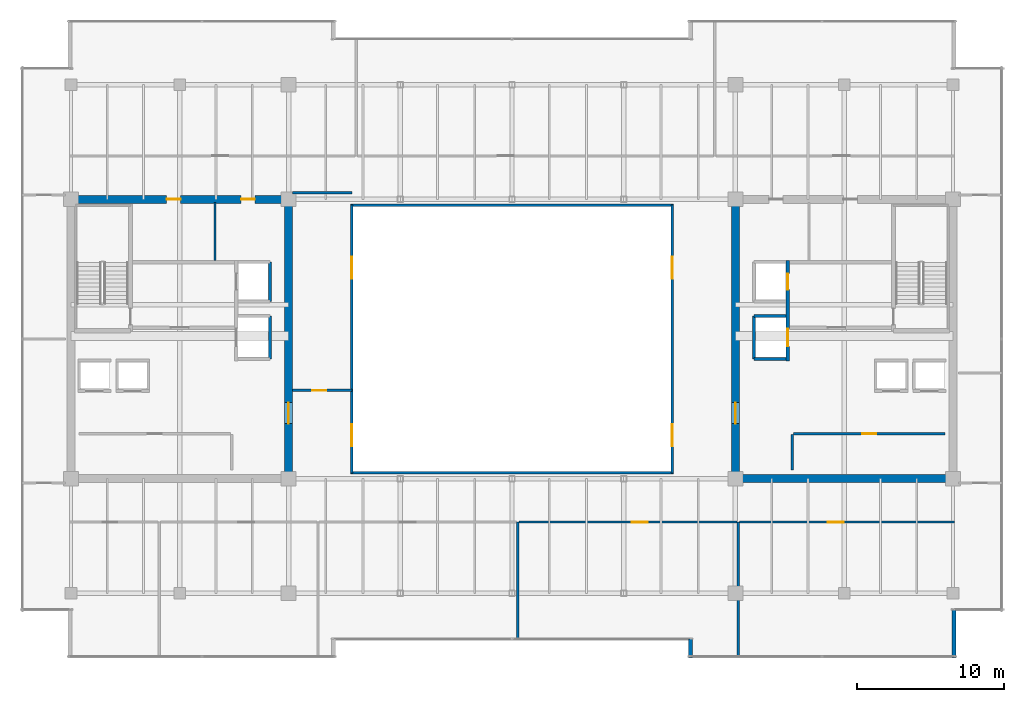
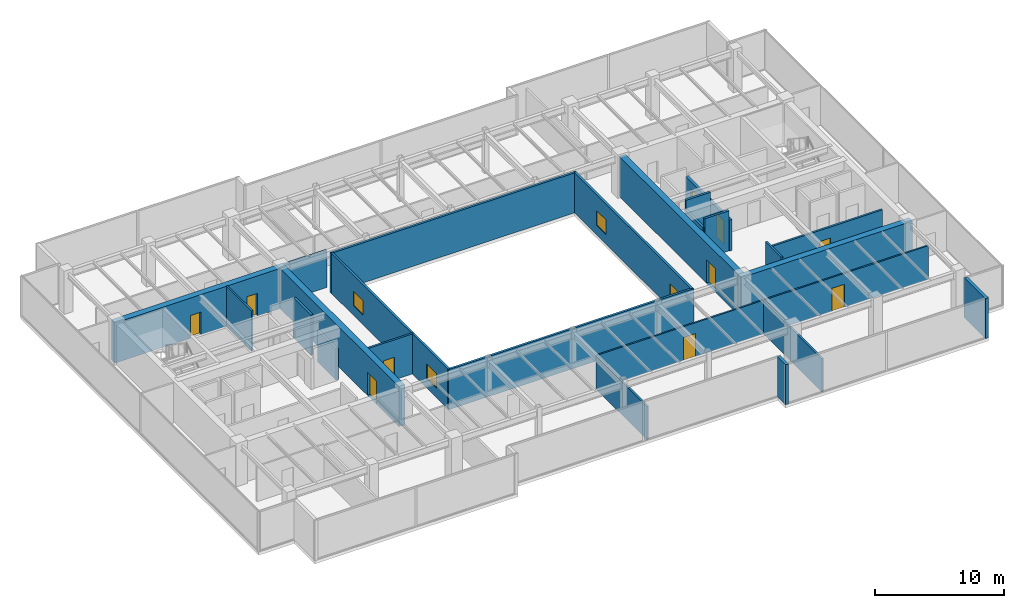
# One storey, part 29 of 33: 25 walls, 10 doors, 4 windows, 14 openings.
"""IFC4 building model written with IfcOpenShell, lengths in metres."""

from ifc_helpers import new_model, si_unit, direction, frame, frame_2d, origin, place, context, subcontext, project, spatial, rectangle, extrude, source, transform, mapped, material, layer, layer_set, type_object, type_shapes, element, fill, save


model = new_model("IFC4")

# Units and contexts
model_context = context("Model", 3, precision=1e-05, world=origin(), true_north=direction((0.0, 1.0)))
body_context = subcontext(model_context, "Body", "Model", "MODEL_VIEW")
ifc_project = project(units=[si_unit("LENGTHUNIT", "METRE"), si_unit("AREAUNIT", "SQUARE_METRE"), si_unit("VOLUMEUNIT", "CUBIC_METRE"), si_unit("PLANEANGLEUNIT", "RADIAN"), si_unit("MASSUNIT", "GRAM", prefix="KILO")], contexts=[model_context])

# Site, building, storey
site_placement = place(None, origin())
site = spatial("IfcSite", under=ifc_project, at=site_placement, CompositionType="ELEMENT")
building_placement = place(site_placement, origin())
building = spatial("IfcBuilding", under=site, at=building_placement, Name="Haelvirn Gate Laboratories", CompositionType="ELEMENT")
storey_placement = place(building_placement, frame((0.0, 0.0, 267.0)))
storey = spatial("IfcBuildingStorey", under=building, at=storey_placement, Name="L64", CompositionType="ELEMENT", Elevation=267.0)

# Walls
ifc_material_1 = material(Name="Thermally-broken bronze aluminium rainscreen & mineral wool", Category="aluminium")
ifc_layer_1 = layer(ifc_material_1, 0.280029296875, Name="EW-TERR-280")
ifc_layer_set_1 = layer_set([ifc_layer_1], Name="Thermally-broken bronze aluminium rainscreen & mineral wool")
wall_type_1 = type_object("IfcWallType", Name="EW-TERR-280", PredefinedType="STANDARD", material=ifc_layer_set_1)
wall_1_placement = place(storey_placement, frame((49.5400390625, 3.89306640625, 0.0), z_axis=(0.0, 0.0, 1.0), x_axis=(0.0, -1.0, 0.0)))
element("IfcWall", 1, at=wall_1_placement, inside=storey, type_object=wall_type_1, Name="L64 Atrium Recess Bronze Return Wall 03", PredefinedType="STANDARD", context=body_context, shape_type="SweptSolid", body=[
    extrude(rectangle(XDim=1.29296875, YDim=0.280029296875, at=frame_2d((0.646484375, 0.0))), origin(), (0.0, 0.0, 1.0), 3.800048828125),
])
wall_2_placement = place(storey_placement, frame((67.4599609375, 2.60009765625, 0.0), z_axis=(0.0, 0.0, 1.0), x_axis=(0.0, 1.0, 0.0)))
element("IfcWall", 2, at=wall_2_placement, inside=storey, type_object=wall_type_1, Name="L64 Atrium Recess Bronze Return Wall 05", PredefinedType="STANDARD", context=body_context, shape_type="SweptSolid", body=[
    extrude(rectangle(XDim=3.287841796875, YDim=0.280029296875, at=frame_2d((1.64404296875, 0.0))), origin(), (0.0, 0.0, 1.0), 3.800048828125),
])
ifc_material_2 = material(Name="Double-layer acoustic gypsum laboratory partition", Category="gypsum")
ifc_layer_2 = layer(ifc_material_2, 0.159912109375, Name="IW-ACOUST-160")
ifc_layer_set_2 = layer_set([ifc_layer_2], Name="Double-layer acoustic gypsum laboratory partition")
wall_type_2 = type_object("IfcWallType", Name="IW-ACOUST-160", PredefinedType="PARTITIONING", material=ifc_layer_set_2)
wall_3_placement = place(storey_placement, frame((37.800048828125, 3.909912109375, 0.0), z_axis=(0.0, 0.0, 1.0), x_axis=(0.0, 1.0, 0.0)))
element("IfcWall", 3, at=wall_3_placement, inside=storey, type_object=wall_type_2, Name="L64 Interior Wall IW-L64-SDIV-03", PredefinedType="PARTITIONING", context=body_context, shape_type="SweptSolid", body=[
    extrude(rectangle(XDim=7.93017578125, YDim=0.159912109375, at=frame_2d((3.965087890625, 0.0))), origin(), (0.0, 0.0, 1.0), 3.135009765625),
])
wall_4_placement = place(storey_placement, frame((52.800048828125, 2.7099609375, 0.0), z_axis=(0.0, 0.0, 1.0), x_axis=(0.0, 1.0, 0.0)))
element("IfcWall", 4, at=wall_4_placement, inside=storey, type_object=wall_type_2, Name="L64 Interior Wall IW-L64-SDIV-04", PredefinedType="PARTITIONING", context=body_context, shape_type="SweptSolid", body=[
    extrude(rectangle(XDim=9.130126953125, YDim=0.159912109375, at=frame_2d((4.56494140625, 0.0))), origin(), (0.0, 0.0, 1.0), 3.135009765625),
])
ifc_material_3 = material(Name="Fire-rated acoustic gypsum board partition", Category="gypsum")
ifc_layer_3 = layer(ifc_material_3, 0.175048828125, Name="IW-ACOUST-180")
ifc_layer_set_3 = layer_set([ifc_layer_3], Name="Fire-rated acoustic gypsum board partition")
wall_type_3 = type_object("IfcWallType", Name="IW-ACOUST-180", PredefinedType="PARTITIONING", material=ifc_layer_set_3)
wall_5_placement = place(storey_placement, frame((22.47509765625, 34.260009765625, 0.0), z_axis=(0.0, 0.0, 1.0), x_axis=(1.0, 0.0, 0.0)))
element("IfcWall", 5, at=wall_5_placement, inside=storey, type_object=wall_type_3, Name="L64 Interior Wall IW-L64-WPOD-N", PredefinedType="PARTITIONING", context=body_context, shape_type="SweptSolid", body=[
    extrude(rectangle(XDim=4.02490234375, YDim=0.175048828125, at=frame_2d((2.012451171875, 0.0))), origin(), (0.0, 0.0, 1.0), 3.534912109375),
])

# Wall, opening, door
wall_6_placement = place(storey_placement, frame((22.47509765625, 20.800048828125, 0.0), z_axis=(0.0, 0.0, 1.0), x_axis=(1.0, 0.0, 0.0)))
wall_6 = element("IfcWall", 6, at=wall_6_placement, inside=storey, type_object=wall_type_3, Name="L64 Interior Wall IW-L64-WPOD-S", PredefinedType="PARTITIONING", context=body_context, shape_type="SweptSolid", body=[
    extrude(rectangle(XDim=4.02490234375, YDim=0.175048828125, at=frame_2d((2.012451171875, 0.0))), origin(), (0.0, 0.0, 1.0), 3.800048828125),
])
opening_1_placement = place(wall_6_placement, frame((1.35009765625, 0.0, 0.0)))
opening_1 = element("IfcOpeningElement", 7, at=opening_1_placement, cuts=wall_6, Name="Opening FD4", PredefinedType="OPENING", context=body_context, shape_type="SweptSolid", body=[
    extrude(rectangle(XDim=0.949951171875, YDim=2.14990234375, at=frame_2d((0.47509765625, 1.074951171875))), frame((0.0, 0.09765625, 0.0), z_axis=(0.0, -1.0, 0.0), x_axis=(1.0, 0.0, 0.0)), (0.0, 0.0, 1.0), 0.195068359375),
])
ifc_material_4 = material(Name="Fire-rated steel SM355 core service door", Category="steel")
door_type_1 = type_object("IfcDoorType", Name="DR-FD-950", OperationType="NOTDEFINED", PredefinedType="DOOR", material=ifc_material_4)
shared_shape_1 = source(origin(), body_context, "Body", "SweptSolid", [
    extrude(rectangle(XDim=0.949951171875, YDim=2.14990234375, at=frame_2d((0.47509765625, 1.074951171875))), frame((0.0, 0.02490234375, 0.0), z_axis=(0.0, -1.0, 0.0), x_axis=(1.0, 0.0, 0.0)), (0.0, 0.0, 1.0), 0.050048828125),
])
type_shapes(door_type_1, [shared_shape_1])
door_1_placement = place(opening_1_placement, origin())
door_1 = element("IfcDoor", 8, at=door_1_placement, inside=storey, type_object=door_type_1, Name="L64 High-Zone Computational Suite Door", OperationType="SINGLE_SWING_RIGHT", OverallHeight=2.14990234375, OverallWidth=0.949951171875, PredefinedType="DOOR", context=body_context, shape_type="MappedRepresentation", body=[
    mapped(shared_shape_1, transform((0.0, 0.0, 0.0), scale=1.0)),
])
fill(opening_1, door_1)

# Wall, openings, windows
ifc_material_5 = material(Name="Tempered fire-rated borosilicate glass & anodised aluminium", Category="aluminium")
ifc_layer_4 = layer(ifc_material_5, 0.195068359375, Name="IW-GLAZ-200")
ifc_layer_set_4 = layer_set([ifc_layer_4], Name="Tempered fire-rated borosilicate glass & anodised aluminium")
wall_type_4 = type_object("IfcWallType", Name="IW-GLAZ-200", PredefinedType="SOLIDWALL", material=ifc_layer_set_4)
wall_7_placement = place(storey_placement, frame((26.5, 15.199951171875, 0.0), z_axis=(0.0, 0.0, 1.0), x_axis=(0.0, 1.0, 0.0)))
wall_7 = element("IfcWall", 9, at=wall_7_placement, inside=storey, type_object=wall_type_4, Name="L64 Interior Wall IW-L64-ATRIUM-W", PredefinedType="SOLIDWALL", context=body_context, shape_type="SweptSolid", body=[
    extrude(rectangle(XDim=18.199951171875, YDim=0.195068359375, at=frame_2d((9.10009765625, 0.0))), origin(), (0.0, 0.0, 1.0), 3.800048828125),
])
opening_2_placement = place(wall_7_placement, frame((1.800048828125, 0.0, 0.89990234375)))
opening_2 = element("IfcOpeningElement", 10, at=opening_2_placement, cuts=wall_7, Name="Opening W5", PredefinedType="OPENING", context=body_context, shape_type="SweptSolid", body=[
    extrude(rectangle(XDim=1.5, YDim=1.39990234375, at=frame_2d((0.75, 0.699951171875))), frame((0.0, 0.107421875, 0.0), z_axis=(0.0, -1.0, 0.0), x_axis=(1.0, 0.0, 0.0)), (0.0, 0.0, 1.0), 0.215087890625),
])
opening_3_placement = place(wall_7_placement, frame((13.199951171875, 0.0, 0.89990234375)))
opening_3 = element("IfcOpeningElement", 11, at=opening_3_placement, cuts=wall_7, Name="Opening W5", PredefinedType="OPENING", context=body_context, shape_type="SweptSolid", body=[
    extrude(rectangle(XDim=1.5, YDim=1.39990234375, at=frame_2d((0.75, 0.699951171875))), frame((0.0, 0.107421875, 0.0), z_axis=(0.0, -1.0, 0.0), x_axis=(1.0, 0.0, 0.0)), (0.0, 0.0, 1.0), 0.215087890625),
])
ifc_material_6 = material(Name="Fire-rated EI 120 borosilicate atrium vision glazing", Category="glass")
window_type = type_object("IfcWindowType", Name="WN-ATR-1500", PartitioningType="SINGLE_PANEL", PredefinedType="WINDOW", material=ifc_material_6)
shared_shape_2 = source(origin(), body_context, "Body", "SweptSolid", [
    extrude(rectangle(XDim=1.5, YDim=1.39990234375, at=frame_2d((0.75, 0.699951171875))), frame((0.0, 0.030029296875, 0.0), z_axis=(0.0, -1.0, 0.0), x_axis=(1.0, 0.0, 0.0)), (0.0, 0.0, 1.0), 0.06005859375),
])
type_shapes(window_type, [shared_shape_2])
window_1_placement = place(opening_2_placement, origin())
window_1 = element("IfcWindow", 12, at=window_1_placement, inside=storey, type_object=window_type, Name="L64 Atrium Observation Window 1", OverallHeight=1.39990234375, OverallWidth=1.5, PartitioningType="SINGLE_PANEL", PredefinedType="WINDOW", context=body_context, shape_type="MappedRepresentation", body=[
    mapped(shared_shape_2, transform((0.0, 0.0, 0.0), scale=1.0)),
])
fill(opening_2, window_1)
window_2_placement = place(opening_3_placement, origin())
window_2 = element("IfcWindow", 13, at=window_2_placement, inside=storey, type_object=window_type, Name="L64 Atrium Observation Window 2", OverallHeight=1.39990234375, OverallWidth=1.5, PartitioningType="SINGLE_PANEL", PredefinedType="WINDOW", context=body_context, shape_type="MappedRepresentation", body=[
    mapped(shared_shape_2, transform((0.0, 0.0, 0.0), scale=1.0)),
])
fill(opening_3, window_2)

wall_8_placement = place(storey_placement, frame((48.300048828125, 15.199951171875, 0.0), z_axis=(0.0, 0.0, 1.0), x_axis=(0.0, 1.0, 0.0)))
wall_8 = element("IfcWall", 14, at=wall_8_placement, inside=storey, type_object=wall_type_4, Name="L64 Interior Wall IW-L64-ATRIUM-E", PredefinedType="SOLIDWALL", context=body_context, shape_type="SweptSolid", body=[
    extrude(rectangle(XDim=18.199951171875, YDim=0.195068359375, at=frame_2d((9.10009765625, 0.0))), origin(), (0.0, 0.0, 1.0), 3.800048828125),
])
opening_4_placement = place(wall_8_placement, frame((1.800048828125, 0.0, 0.89990234375)))
opening_4 = element("IfcOpeningElement", 15, at=opening_4_placement, cuts=wall_8, Name="Opening W5", PredefinedType="OPENING", context=body_context, shape_type="SweptSolid", body=[
    extrude(rectangle(XDim=1.5, YDim=1.39990234375, at=frame_2d((0.75, 0.699951171875))), frame((0.0, 0.107421875, 0.0), z_axis=(0.0, -1.0, 0.0), x_axis=(1.0, 0.0, 0.0)), (0.0, 0.0, 1.0), 0.215087890625),
])
opening_5_placement = place(wall_8_placement, frame((13.199951171875, 0.0, 0.89990234375)))
opening_5 = element("IfcOpeningElement", 16, at=opening_5_placement, cuts=wall_8, Name="Opening W5", PredefinedType="OPENING", context=body_context, shape_type="SweptSolid", body=[
    extrude(rectangle(XDim=1.5, YDim=1.39990234375, at=frame_2d((0.75, 0.699951171875))), frame((0.0, 0.107421875, 0.0), z_axis=(0.0, -1.0, 0.0), x_axis=(1.0, 0.0, 0.0)), (0.0, 0.0, 1.0), 0.215087890625),
])
window_3_placement = place(opening_4_placement, origin())
window_3 = element("IfcWindow", 17, at=window_3_placement, inside=storey, type_object=window_type, Name="L64 Atrium Observation Window 1", OverallHeight=1.39990234375, OverallWidth=1.5, PartitioningType="SINGLE_PANEL", PredefinedType="WINDOW", context=body_context, shape_type="MappedRepresentation", body=[
    mapped(shared_shape_2, transform((0.0, 0.0, 0.0), scale=1.0)),
])
fill(opening_4, window_3)
window_4_placement = place(opening_5_placement, origin())
window_4 = element("IfcWindow", 18, at=window_4_placement, inside=storey, type_object=window_type, Name="L64 Atrium Observation Window 2", OverallHeight=1.39990234375, OverallWidth=1.5, PartitioningType="SINGLE_PANEL", PredefinedType="WINDOW", context=body_context, shape_type="MappedRepresentation", body=[
    mapped(shared_shape_2, transform((0.0, 0.0, 0.0), scale=1.0)),
])
fill(opening_5, window_4)

# Walls
for number, where, z_axis, x_axis, name in (
    (19, (26.39990234375, 15.199951171875, 0.0), (0.0, 0.0, 1.0), (1.0, 0.0, 0.0), "L64 Interior Wall IW-L64-ATRIUM-S"),
    (20, (26.39990234375, 33.39990234375, 0.0), (0.0, 0.0, 1.0), (1.0, 0.0, 0.0), "L64 Interior Wall IW-L64-ATRIUM-N"),
):
    element("IfcWall", number, at=place(storey_placement, frame(where, z_axis=z_axis, x_axis=x_axis)), inside=storey, type_object=wall_type_4, Name=name, PredefinedType="SOLIDWALL", context=body_context, shape_type="SweptSolid", body=[
        extrude(rectangle(XDim=22.0, YDim=0.195068359375, at=frame_2d((11.0, 0.0))), origin(), (0.0, 0.0, 1.0), 3.800048828125),
    ])

# Wall, opening, door
ifc_material_7 = material(Name="Acoustic mineral-wool gypsum board partition", Category="gypsum")
ifc_layer_5 = layer(ifc_material_7, 0.139892578125, Name="IW-PART-140")
ifc_layer_set_5 = layer_set([ifc_layer_5], Name="Acoustic mineral-wool gypsum board partition")
wall_type_5 = type_object("IfcWallType", Name="IW-PART-140", PredefinedType="PARTITIONING", material=ifc_layer_set_5)
wall_9_placement = place(storey_placement, frame((37.8798828125, 11.840087890625, 0.0), z_axis=(0.0, 0.0, 1.0), x_axis=(1.0, 0.0, 0.0)))
wall_9 = element("IfcWall", 21, at=wall_9_placement, inside=storey, type_object=wall_type_5, Name="L64 Interior Wall IW-L64-SCORR-04", PredefinedType="PARTITIONING", context=body_context, shape_type="SweptSolid", body=[
    extrude(rectangle(XDim=14.840087890625, YDim=0.139892578125, at=frame_2d((7.419921875, 0.0))), origin(), (0.0, 0.0, 1.0), 3.197021484375),
])
opening_6_placement = place(wall_9_placement, frame((7.65234375, 0.0, 0.0)))
opening_6 = element("IfcOpeningElement", 22, at=opening_6_placement, cuts=wall_9, Name="Opening D1", PredefinedType="OPENING", context=body_context, shape_type="SweptSolid", body=[
    extrude(rectangle(XDim=1.10009765625, YDim=2.179931640625, at=frame_2d((0.550048828125, 1.08984375))), frame((0.0, 0.080078125, 0.0), z_axis=(0.0, -1.0, 0.0), x_axis=(1.0, 0.0, 0.0)), (0.0, 0.0, 1.0), 0.159912109375),
])
ifc_material_8 = material(Name="Vision-panel acoustic solid-core timber lab door", Category="wood")
door_type_2 = type_object("IfcDoorType", Name="DR-LAB-1100", OperationType="NOTDEFINED", PredefinedType="DOOR", material=ifc_material_8)
shared_shape_3 = source(origin(), body_context, "Body", "SweptSolid", [
    extrude(rectangle(XDim=1.10009765625, YDim=2.179931640625, at=frame_2d((0.550048828125, 1.08984375))), frame((0.0, 0.02490234375, 0.0), z_axis=(0.0, -1.0, 0.0), x_axis=(1.0, 0.0, 0.0)), (0.0, 0.0, 1.0), 0.050048828125),
])
type_shapes(door_type_2, [shared_shape_3])
door_2_placement = place(opening_6_placement, origin())
door_2 = element("IfcDoor", 23, at=door_2_placement, inside=storey, type_object=door_type_2, Name="L64 Instrumentation Prototyping Workshop Door S4", OperationType="SINGLE_SWING_RIGHT", OverallHeight=2.179931640625, OverallWidth=1.10009765625, PredefinedType="DOOR", context=body_context, shape_type="MappedRepresentation", body=[
    mapped(shared_shape_3, transform((0.0, 0.0, 0.0), scale=1.0)),
])
fill(opening_6, door_2)

wall_10_placement = place(storey_placement, frame((52.8798828125, 11.840087890625, 0.0), z_axis=(0.0, 0.0, 1.0), x_axis=(1.0, 0.0, 0.0)))
wall_10 = element("IfcWall", 24, at=wall_10_placement, inside=storey, type_object=wall_type_5, Name="L64 Interior Wall IW-L64-SCORR-05", PredefinedType="PARTITIONING", context=body_context, shape_type="SweptSolid", body=[
    extrude(rectangle(XDim=14.610107421875, YDim=0.139892578125, at=frame_2d((7.30517578125, 0.0))), origin(), (0.0, 0.0, 1.0), 3.197021484375),
])
opening_7_placement = place(wall_10_placement, frame((5.986328125, 0.0, 0.0)))
opening_7 = element("IfcOpeningElement", 25, at=opening_7_placement, cuts=wall_10, Name="Opening D1", PredefinedType="OPENING", context=body_context, shape_type="SweptSolid", body=[
    extrude(rectangle(XDim=1.10009765625, YDim=2.179931640625, at=frame_2d((0.550048828125, 1.08984375))), frame((0.0, 0.080078125, 0.0), z_axis=(0.0, -1.0, 0.0), x_axis=(1.0, 0.0, 0.0)), (0.0, 0.0, 1.0), 0.159912109375),
])
door_3_placement = place(opening_7_placement, origin())
door_3 = element("IfcDoor", 26, at=door_3_placement, inside=storey, type_object=door_type_2, Name="L64 Researcher Break Pantry Door S5", OperationType="SINGLE_SWING_LEFT", OverallHeight=2.179931640625, OverallWidth=1.10009765625, PredefinedType="DOOR", context=body_context, shape_type="MappedRepresentation", body=[
    mapped(shared_shape_3, transform((0.0, 0.0, 0.0), scale=1.0)),
])
fill(opening_7, door_3)

# Wall
ifc_material_9 = material(Name="Cement-board restroom plumbing chase wall", Category="gypsum")
ifc_layer_6 = layer(ifc_material_9, 0.155029296875, Name="IW-PLUMB-160")
ifc_layer_set_6 = layer_set([ifc_layer_6], Name="Cement-board restroom plumbing chase wall")
wall_type_6 = type_object("IfcWallType", Name="IW-PLUMB-160", PredefinedType="PLUMBINGWALL", material=ifc_layer_set_6)
wall_11_placement = place(storey_placement, frame((17.18994140625, 29.64990234375, 0.0), z_axis=(0.0, 0.0, 1.0), x_axis=(0.0, 1.0, 0.0)))
element("IfcWall", 27, at=wall_11_placement, inside=storey, type_object=wall_type_6, Name="L64 Interior Wall IW-L64-W-CDIV-1", PredefinedType="PLUMBINGWALL", context=body_context, shape_type="SweptSolid", body=[
    extrude(rectangle(XDim=3.93017578125, YDim=0.155029296875, at=frame_2d((1.965087890625, 0.0))), origin(), (0.0, 0.0, 1.0), 3.800048828125),
])

# Wall, opening, door
ifc_material_10 = material(Name="Concrete C40/50", Category="concrete")
ifc_layer_7 = layer(ifc_material_10, 0.179931640625, Name="IW-SHAFT-180")
ifc_layer_set_7 = layer_set([ifc_layer_7], Name="Concrete C40/50")
wall_type_7 = type_object("IfcWallType", Name="IW-SHAFT-180", PredefinedType="SOLIDWALL", material=ifc_layer_set_7)
wall_12_placement = place(storey_placement, frame((56.550048828125, 17.85009765625, 0.0), z_axis=(0.0, 0.0, 1.0), x_axis=(1.0, 0.0, 0.0)))
wall_12 = element("IfcWall", 28, at=wall_12_placement, inside=storey, type_object=wall_type_7, Name="L64 Interior Wall IW-L64-E-FREED-HN-1", PredefinedType="SOLIDWALL", context=body_context, shape_type="SweptSolid", body=[
    extrude(rectangle(XDim=10.300048828125, YDim=0.179931640625, at=frame_2d((5.14990234375, 0.0))), origin(), (0.0, 0.0, 1.0), 3.197021484375),
])
opening_8_placement = place(wall_12_placement, frame((4.675048828125, 0.0, 0.0)))
opening_8 = element("IfcOpeningElement", 29, at=opening_8_placement, cuts=wall_12, Name="Opening FD4", PredefinedType="OPENING", context=body_context, shape_type="SweptSolid", body=[
    extrude(rectangle(XDim=0.949951171875, YDim=2.14990234375, at=frame_2d((0.47509765625, 1.074951171875))), frame((0.0, 0.10009765625, 0.0), z_axis=(0.0, -1.0, 0.0), x_axis=(1.0, 0.0, 0.0)), (0.0, 0.0, 1.0), 0.199951171875),
])
door_4_placement = place(opening_8_placement, origin())
door_4 = element("IfcDoor", 30, at=door_4_placement, inside=storey, type_object=door_type_1, Name="L64 High-Zone Cryogenic Biobank Vault Door", OperationType="SINGLE_SWING_LEFT", OverallHeight=2.14990234375, OverallWidth=0.949951171875, PredefinedType="DOOR", context=body_context, shape_type="MappedRepresentation", body=[
    mapped(shared_shape_1, transform((0.0, 0.0, 0.0), scale=1.0)),
])
fill(opening_8, door_4)

# Walls
wall_13_placement = place(storey_placement, frame((56.4599609375, 15.39990234375, 0.0), z_axis=(0.0, 0.0, 1.0), x_axis=(0.0, 1.0, 0.0)))
element("IfcWall", 31, at=wall_13_placement, inside=storey, type_object=wall_type_7, Name="L64 Interior Wall IW-L64-E-FREED-HE-1", PredefinedType="SOLIDWALL", context=body_context, shape_type="SweptSolid", body=[
    extrude(rectangle(XDim=2.400146484375, YDim=0.179931640625, at=frame_2d((1.2001953125, 0.0))), origin(), (0.0, 0.0, 1.0), 3.800048828125),
])
ifc_layer_8 = layer(ifc_material_10, 0.199951171875, Name="IW-SHAFT-200")
ifc_layer_set_8 = layer_set([ifc_layer_8], Name="Concrete C40/50")
wall_type_8 = type_object("IfcWallType", Name="IW-SHAFT-200", PredefinedType="SOLIDWALL", material=ifc_layer_set_8)
wall_14_placement = place(storey_placement, frame((20.949951171875, 26.85009765625, 0.0), z_axis=(0.0, 0.0, 1.0), x_axis=(0.0, 1.0, 0.0)))
element("IfcWall", 32, at=wall_14_placement, inside=storey, type_object=wall_type_8, Name="L64 Interior Wall IW-L64-FL1-BK", PredefinedType="SOLIDWALL", context=body_context, shape_type="SweptSolid", body=[
    extrude(rectangle(XDim=2.699951171875, YDim=0.199951171875, at=frame_2d((1.35009765625, 0.0))), origin(), (0.0, 0.0, 1.0), 3.800048828125),
])
for number, where, z_axis, x_axis, name in (
    (33, (20.949951171875, 22.949951171875, 0.0), (0.0, 0.0, 1.0), (0.0, 1.0, 0.0), "L64 Interior Wall IW-L64-SL1-BK"),
    (34, (53.85009765625, 22.949951171875, 0.0), (0.0, 0.0, 1.0), (0.0, 1.0, 0.0), "L64 Interior Wall IW-L64-SL2-BK"),
):
    element("IfcWall", number, at=place(storey_placement, frame(where, z_axis=z_axis, x_axis=x_axis)), inside=storey, type_object=wall_type_8, Name=name, PredefinedType="SOLIDWALL", context=body_context, shape_type="SweptSolid", body=[
        extrude(rectangle(XDim=2.900146484375, YDim=0.199951171875, at=frame_2d((1.4501953125, 0.0))), origin(), (0.0, 0.0, 1.0), 2.93505859375),
    ])
for number, where, z_axis, x_axis, name in (
    (35, (53.85009765625, 25.85009765625, 0.0), (0.0, 0.0, 1.0), (1.0, 0.0, 0.0), "L64 Interior Wall IW-L64-SL2-N"),
    (36, (53.85009765625, 22.949951171875, 0.0), (0.0, 0.0, 1.0), (1.0, 0.0, 0.0), "L64 Interior Wall IW-L64-SL2-S"),
):
    element("IfcWall", number, at=place(storey_placement, frame(where, z_axis=z_axis, x_axis=x_axis)), inside=storey, type_object=wall_type_8, Name=name, PredefinedType="SOLIDWALL", context=body_context, shape_type="SweptSolid", body=[
        extrude(rectangle(XDim=2.18994140625, YDim=0.199951171875, at=frame_2d((1.094970703125, 0.0))), origin(), (0.0, 0.0, 1.0), 3.800048828125),
    ])

# Wall, openings, doors
ifc_layer_9 = layer(ifc_material_10, 0.239990234375, Name="IW-SHAFT-240")
ifc_layer_set_9 = layer_set([ifc_layer_9], Name="Concrete C40/50")
wall_type_9 = type_object("IfcWallType", Name="IW-SHAFT-240", PredefinedType="SOLIDWALL", material=ifc_layer_set_9)
wall_15_placement = place(storey_placement, frame((56.159912109375, 22.800048828125, 0.0), z_axis=(0.0, 0.0, 1.0), x_axis=(0.0, 1.0, 0.0)))
wall_15 = element("IfcWall", 37, at=wall_15_placement, inside=storey, type_object=wall_type_9, Name="L64 Interior Wall IW-L64-E-FF-E", PredefinedType="SOLIDWALL", context=body_context, shape_type="SweptSolid", body=[
    extrude(rectangle(XDim=6.849853515625, YDim=0.239990234375, at=frame_2d((3.4248046875, 0.0))), origin(), (0.0, 0.0, 1.0), 2.93505859375),
])
opening_9_placement = place(wall_15_placement, frame((4.85009765625, 0.0, 0.0)))
opening_9 = element("IfcOpeningElement", 38, at=opening_9_placement, cuts=wall_15, Name="Opening LD2", PredefinedType="OPENING", context=body_context, shape_type="SweptSolid", body=[
    extrude(rectangle(XDim=1.10009765625, YDim=2.219970703125, at=frame_2d((0.550048828125, 1.10986328125))), frame((0.0, 0.1298828125, 0.0), z_axis=(0.0, -1.0, 0.0), x_axis=(1.0, 0.0, 0.0)), (0.0, 0.0, 1.0), 0.260009765625),
])
opening_10_placement = place(wall_15_placement, frame((1.0, 0.0, 0.0)))
opening_10 = element("IfcOpeningElement", 39, at=opening_10_placement, cuts=wall_15, Name="Opening LD1", PredefinedType="OPENING", context=body_context, shape_type="SweptSolid", body=[
    extrude(rectangle(XDim=1.199951171875, YDim=2.219970703125, at=frame_2d((0.60009765625, 1.10986328125))), frame((0.0, 0.1298828125, 0.0), z_axis=(0.0, -1.0, 0.0), x_axis=(1.0, 0.0, 0.0)), (0.0, 0.0, 1.0), 0.260009765625),
])
ifc_material_11 = material(Name="Bronze stainless 316L sliding lift landing door")
door_type_3 = type_object("IfcDoorType", Name="DR-LD-1100", OperationType="NOTDEFINED", PredefinedType="USERDEFINED", material=ifc_material_11)
shared_shape_4 = source(origin(), body_context, "Body", "SweptSolid", [
    extrude(rectangle(XDim=1.10009765625, YDim=2.219970703125, at=frame_2d((0.550048828125, 1.10986328125))), frame((0.0, 0.02490234375, 0.0), z_axis=(0.0, -1.0, 0.0), x_axis=(1.0, 0.0, 0.0)), (0.0, 0.0, 1.0), 0.050048828125),
])
type_shapes(door_type_3, [shared_shape_4])
door_5_placement = place(opening_9_placement, origin())
door_5 = element("IfcDoor", 40, at=door_5_placement, inside=storey, type_object=door_type_3, Name="L64 Firefighting Lift FL2 Landing Door", ObjectType="LANDING_DOOR", OperationType="SLIDING_TO_RIGHT", OverallHeight=2.219970703125, OverallWidth=1.10009765625, PredefinedType="USERDEFINED", context=body_context, shape_type="MappedRepresentation", body=[
    mapped(shared_shape_4, transform((0.0, 0.0, 0.0), scale=1.0)),
])
fill(opening_9, door_5)
ifc_material_12 = material(Name="Stainless steel 316L sliding goods landing door", Category="steel")
door_type_4 = type_object("IfcDoorType", Name="DR-LD-1200", OperationType="NOTDEFINED", PredefinedType="USERDEFINED", material=ifc_material_12)
shared_shape_5 = source(origin(), body_context, "Body", "SweptSolid", [
    extrude(rectangle(XDim=1.199951171875, YDim=2.219970703125, at=frame_2d((0.60009765625, 1.10986328125))), frame((0.0, 0.02490234375, 0.0), z_axis=(0.0, -1.0, 0.0), x_axis=(1.0, 0.0, 0.0)), (0.0, 0.0, 1.0), 0.050048828125),
])
type_shapes(door_type_4, [shared_shape_5])
door_6_placement = place(opening_10_placement, origin())
door_6 = element("IfcDoor", 41, at=door_6_placement, inside=storey, type_object=door_type_4, Name="L64 Service Lift SL2 Landing Door", ObjectType="LANDING_DOOR", OperationType="SLIDING_TO_LEFT", OverallHeight=2.219970703125, OverallWidth=1.199951171875, PredefinedType="USERDEFINED", context=body_context, shape_type="MappedRepresentation", body=[
    mapped(shared_shape_5, transform((0.0, 0.0, 0.0), scale=1.0)),
])
fill(opening_10, door_6)

ifc_material_13 = material(Name="Concrete C50/60", Category="concrete")
ifc_layer_10 = layer(ifc_material_13, 0.550048828125, Name="SW-CORE-550")
ifc_layer_set_10 = layer_set([ifc_layer_10], Name="Concrete C50/60")
wall_type_10 = type_object("IfcWallType", Name="SW-CORE-550", PredefinedType="SHEAR", material=ifc_layer_set_10)
wall_16_placement = place(storey_placement, frame((7.125, 33.800048828125, 0.0), z_axis=(0.0, 0.0, 1.0), x_axis=(1.0, 0.0, 0.0)))
wall_16 = element("IfcWall", 42, at=wall_16_placement, inside=storey, type_object=wall_type_10, Name="L64 W Core Shear Wall N", PredefinedType="SHEAR", context=body_context, shape_type="SweptSolid", body=[
    extrude(rectangle(XDim=15.35009765625, YDim=0.550048828125, at=frame_2d((7.675048828125, 0.0))), origin(), (0.0, 0.0, 1.0), 3.800048828125),
])
opening_11_placement = place(wall_16_placement, frame((6.77490234375, 0.0, 0.0)))
opening_11 = element("IfcOpeningElement", 43, at=opening_11_placement, cuts=wall_16, Name="Opening FD4", PredefinedType="OPENING", context=body_context, shape_type="SweptSolid", body=[
    extrude(rectangle(XDim=0.949951171875, YDim=2.14990234375, at=frame_2d((0.47509765625, 1.074951171875))), frame((0.0, 0.28515625, 0.0), z_axis=(0.0, -1.0, 0.0), x_axis=(1.0, 0.0, 0.0)), (0.0, 0.0, 1.0), 0.570068359375),
])
opening_12_placement = place(wall_16_placement, frame((11.840087890625, 0.0, 0.0)))
opening_12 = element("IfcOpeningElement", 44, at=opening_12_placement, cuts=wall_16, Name="Opening FD4", PredefinedType="OPENING", context=body_context, shape_type="SweptSolid", body=[
    extrude(rectangle(XDim=0.949951171875, YDim=2.14990234375, at=frame_2d((0.47509765625, 1.074951171875))), frame((0.0, 0.28515625, 0.0), z_axis=(0.0, -1.0, 0.0), x_axis=(1.0, 0.0, 0.0)), (0.0, 0.0, 1.0), 0.570068359375),
])
door_7_placement = place(opening_11_placement, origin())
door_7 = element("IfcDoor", 45, at=door_7_placement, inside=storey, type_object=door_type_1, Name="L64 All-Gender Multi-Stall Restroom Fire Door", OperationType="SINGLE_SWING_LEFT", OverallHeight=2.14990234375, OverallWidth=0.949951171875, PredefinedType="DOOR", context=body_context, shape_type="MappedRepresentation", body=[
    mapped(shared_shape_1, transform((0.0, 0.0, 0.0), scale=1.0)),
])
fill(opening_11, door_7)
door_8_placement = place(opening_12_placement, origin())
door_8 = element("IfcDoor", 46, at=door_8_placement, inside=storey, type_object=door_type_1, Name="L64 Accessible Restroom Fire Door", OperationType="SINGLE_SWING_RIGHT", OverallHeight=2.14990234375, OverallWidth=0.949951171875, PredefinedType="DOOR", context=body_context, shape_type="MappedRepresentation", body=[
    mapped(shared_shape_1, transform((0.0, 0.0, 0.0), scale=1.0)),
])
fill(opening_12, door_8)

# Wall, opening, door
wall_17_placement = place(storey_placement, frame((22.199951171875, 15.074951171875, 0.0), z_axis=(0.0, 0.0, 1.0), x_axis=(0.0, 1.0, 0.0)))
wall_17 = element("IfcWall", 47, at=wall_17_placement, inside=storey, type_object=wall_type_10, Name="L64 W Core Shear Wall E", PredefinedType="SHEAR", context=body_context, shape_type="SweptSolid", body=[
    extrude(rectangle(XDim=18.449951171875, YDim=0.550048828125, at=frame_2d((9.22509765625, 0.0))), origin(), (0.0, 0.0, 1.0), 3.800048828125),
])
opening_13_placement = place(wall_17_placement, frame((3.47509765625, 0.0, 0.0)))
opening_13 = element("IfcOpeningElement", 48, at=opening_13_placement, cuts=wall_17, Name="Opening FD1", PredefinedType="OPENING", context=body_context, shape_type="SweptSolid", body=[
    extrude(rectangle(XDim=1.419921875, YDim=2.199951171875, at=frame_2d((0.7099609375, 1.10009765625))), frame((0.0, 0.28515625, 0.0), z_axis=(0.0, -1.0, 0.0), x_axis=(1.0, 0.0, 0.0)), (0.0, 0.0, 1.0), 0.570068359375),
])
ifc_material_14 = material(Name="Fire-rated double steel SM355 lobby door", Category="steel")
door_type_5 = type_object("IfcDoorType", Name="DR-FD-1400", OperationType="NOTDEFINED", PredefinedType="DOOR", material=ifc_material_14)
shared_shape_6 = source(origin(), body_context, "Body", "SweptSolid", [
    extrude(rectangle(XDim=1.419921875, YDim=2.199951171875, at=frame_2d((0.7099609375, 1.10009765625))), frame((0.0, 0.02490234375, 0.0), z_axis=(0.0, -1.0, 0.0), x_axis=(1.0, 0.0, 0.0)), (0.0, 0.0, 1.0), 0.050048828125),
])
type_shapes(door_type_5, [shared_shape_6])
door_9_placement = place(opening_13_placement, origin())
door_9 = element("IfcDoor", 49, at=door_9_placement, inside=storey, type_object=door_type_5, Name="L64 West Core Lift Lobby Fire Door", OperationType="DOUBLE_DOOR_SINGLE_SWING", OverallHeight=2.199951171875, OverallWidth=1.419921875, PredefinedType="DOOR", context=body_context, shape_type="MappedRepresentation", body=[
    mapped(shared_shape_6, transform((0.0, 0.0, 0.0), scale=1.0)),
])
fill(opening_13, door_9)

# Wall
wall_18_placement = place(storey_placement, frame((52.324951171875, 14.800048828125, 0.0), z_axis=(0.0, 0.0, 1.0), x_axis=(1.0, 0.0, 0.0)))
element("IfcWall", 50, at=wall_18_placement, inside=storey, type_object=wall_type_10, Name="L64 E Core Shear Wall S", PredefinedType="SHEAR", context=body_context, shape_type="SweptSolid", body=[
    extrude(rectangle(XDim=15.35009765625, YDim=0.550048828125, at=frame_2d((7.675048828125, 0.0))), origin(), (0.0, 0.0, 1.0), 3.800048828125),
])

# Wall, opening, door
wall_19_placement = place(storey_placement, frame((52.60009765625, 15.074951171875, 0.0), z_axis=(0.0, 0.0, 1.0), x_axis=(0.0, 1.0, 0.0)))
wall_19 = element("IfcWall", 51, at=wall_19_placement, inside=storey, type_object=wall_type_10, Name="L64 E Core Shear Wall W", PredefinedType="SHEAR", context=body_context, shape_type="SweptSolid", body=[
    extrude(rectangle(XDim=18.449951171875, YDim=0.550048828125, at=frame_2d((9.22509765625, 0.0))), origin(), (0.0, 0.0, 1.0), 3.800048828125),
])
opening_14_placement = place(wall_19_placement, frame((3.47509765625, 0.0, 0.0)))
opening_14 = element("IfcOpeningElement", 52, at=opening_14_placement, cuts=wall_19, Name="Opening FD1", PredefinedType="OPENING", context=body_context, shape_type="SweptSolid", body=[
    extrude(rectangle(XDim=1.419921875, YDim=2.199951171875, at=frame_2d((0.7099609375, 1.10009765625))), frame((0.0, 0.28515625, 0.0), z_axis=(0.0, -1.0, 0.0), x_axis=(1.0, 0.0, 0.0)), (0.0, 0.0, 1.0), 0.570068359375),
])
door_10_placement = place(opening_14_placement, origin())
door_10 = element("IfcDoor", 53, at=door_10_placement, inside=storey, type_object=door_type_5, Name="L64 East Core Lift Lobby Fire Door", OperationType="DOUBLE_DOOR_SINGLE_SWING", OverallHeight=2.199951171875, OverallWidth=1.419921875, PredefinedType="DOOR", context=body_context, shape_type="MappedRepresentation", body=[
    mapped(shared_shape_6, transform((0.0, 0.0, 0.0), scale=1.0)),
])
fill(opening_14, door_10)

save(model, "model.ifc")
